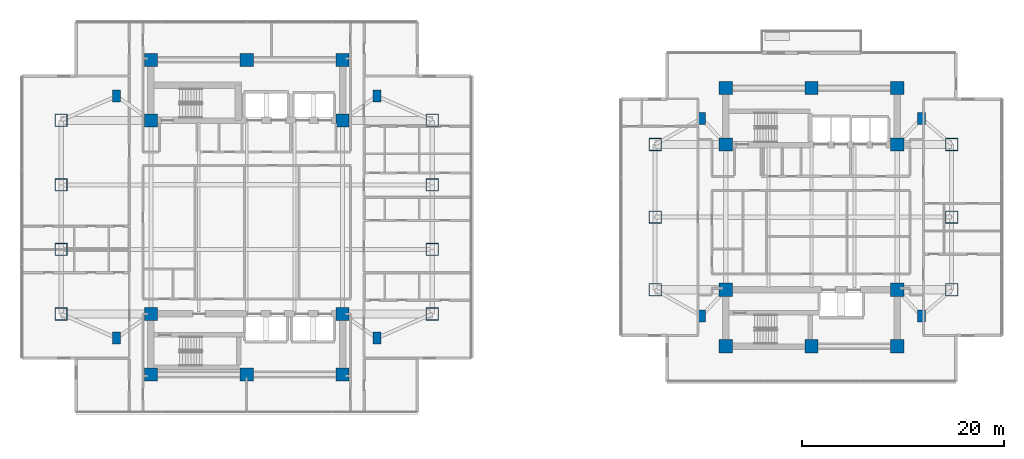
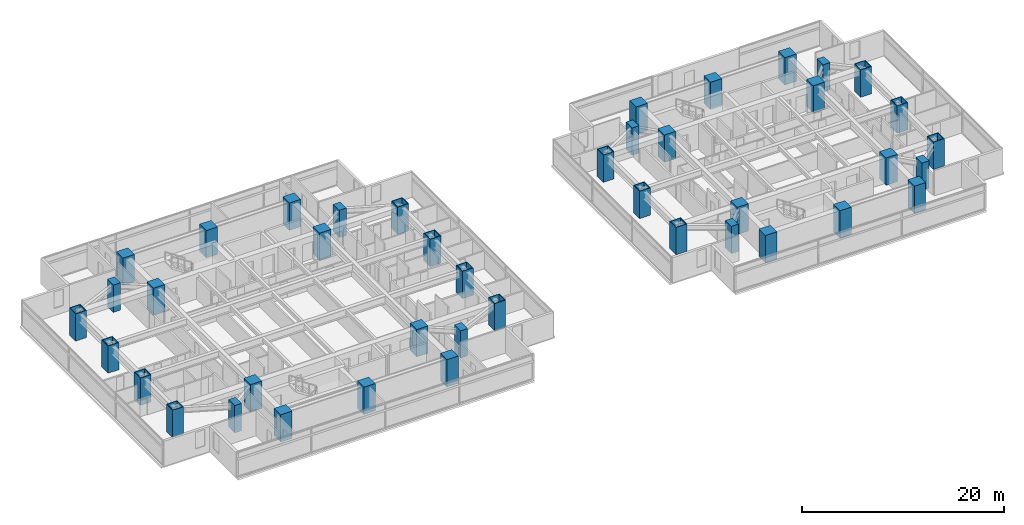
# One storey, part 1 of 24: 42 columns.
"""IFC4 building model written with IfcOpenShell, lengths in metres."""

from ifc_helpers import new_model, si_unit, direction, frame, origin, origin_2d, place, context, subcontext, project, spatial, rectangle, hollow_rectangle, extrude, material, material_profile, profile_set, type_object, element, save


model = new_model("IFC4")

# Units and contexts
model_context = context("Model", 3, precision=1e-05, world=origin(), true_north=direction((0.0, 1.0)))
body_context = subcontext(model_context, "Body", "Model", "MODEL_VIEW")
ifc_project = project(units=[si_unit("LENGTHUNIT", "METRE"), si_unit("AREAUNIT", "SQUARE_METRE"), si_unit("VOLUMEUNIT", "CUBIC_METRE"), si_unit("PLANEANGLEUNIT", "RADIAN"), si_unit("MASSUNIT", "GRAM", prefix="KILO")], contexts=[model_context])

# Site, building, storey
site_placement = place(None, origin())
site = spatial("IfcSite", under=ifc_project, at=site_placement, CompositionType="ELEMENT")
building_placement = place(site_placement, origin())
building = spatial("IfcBuilding", under=site, at=building_placement, Name="Mirazonda Arch Towers", CompositionType="ELEMENT")
storey_placement = place(building_placement, frame((0.0, 0.0, 71.89990234375)))
storey = spatial("IfcBuildingStorey", under=building, at=storey_placement, Name="L20", CompositionType="ELEMENT", Elevation=71.89990234375)

# Columns
ifc_material_1 = material(Name="Concrete C60/75", Category="concrete")
ifc_material_profile_1 = material_profile(ifc_material_1, rectangle(XDim=1.300048828125, YDim=1.300048828125, at=origin_2d()), Name="RC1300x1300")
ifc_profile_set_1 = profile_set([ifc_material_profile_1], Name="Concrete C60/75")
column_type_1 = type_object("IfcColumnType", Name="COL-INT-RC1300x1300", PredefinedType="COLUMN", material=ifc_profile_set_1)
for number, where, z_axis, x_axis, name in (
    (1, (11.0, 12.39990234375, 0.0), (0.0, 0.0, 1.0), (1.0, 0.0, 0.0), "L20 T1 Core Column 01"),
    (2, (20.5, 12.39990234375, 0.0), (0.0, 0.0, 1.0), (1.0, 0.0, 0.0), "L20 T1 Core Column 02"),
    (3, (30.0, 12.39990234375, 0.0), (0.0, 0.0, 1.0), (1.0, 0.0, 0.0), "L20 T1 Core Column 03"),
    (4, (11.0, 18.39990234375, 0.0), (0.0, 0.0, 1.0), (1.0, 0.0, 0.0), "L20 T1 Core Column 04"),
    (5, (30.0, 18.39990234375, 0.0), (0.0, 0.0, 1.0), (1.0, 0.0, 0.0), "L20 T1 Core Column 05"),
    (6, (11.0, 37.60009765625, 0.0), (0.0, 0.0, 1.0), (1.0, 0.0, 0.0), "L20 T1 Core Column 06"),
    (7, (30.0, 37.60009765625, 0.0), (0.0, 0.0, 1.0), (1.0, 0.0, 0.0), "L20 T1 Core Column 07"),
    (8, (11.0, 43.60009765625, 0.0), (0.0, 0.0, 1.0), (1.0, 0.0, 0.0), "L20 T1 Core Column 08"),
    (9, (20.5, 43.60009765625, 0.0), (0.0, 0.0, 1.0), (1.0, 0.0, 0.0), "L20 T1 Core Column 09"),
    (10, (30.0, 43.60009765625, 0.0), (0.0, 0.0, 1.0), (1.0, 0.0, 0.0), "L20 T1 Core Column 10"),
    (11, (68.0, 15.199951171875, 0.0), (0.0, 0.0, 1.0), (1.0, 0.0, 0.0), "L20 T2 Core Column 01"),
    (12, (76.5, 15.199951171875, 0.0), (0.0, 0.0, 1.0), (1.0, 0.0, 0.0), "L20 T2 Core Column 02"),
    (13, (85.0, 15.199951171875, 0.0), (0.0, 0.0, 1.0), (1.0, 0.0, 0.0), "L20 T2 Core Column 03"),
    (14, (68.0, 20.800048828125, 0.0), (0.0, 0.0, 1.0), (1.0, 0.0, 0.0), "L20 T2 Core Column 04"),
    (15, (85.0, 20.800048828125, 0.0), (0.0, 0.0, 1.0), (1.0, 0.0, 0.0), "L20 T2 Core Column 05"),
    (16, (68.0, 35.199951171875, 0.0), (0.0, 0.0, 1.0), (1.0, 0.0, 0.0), "L20 T2 Core Column 06"),
    (17, (85.0, 35.199951171875, 0.0), (0.0, 0.0, 1.0), (1.0, 0.0, 0.0), "L20 T2 Core Column 07"),
    (18, (68.0, 40.800048828125, 0.0), (0.0, 0.0, 1.0), (1.0, 0.0, 0.0), "L20 T2 Core Column 08"),
    (19, (76.5, 40.800048828125, 0.0), (0.0, 0.0, 1.0), (1.0, 0.0, 0.0), "L20 T2 Core Column 09"),
    (20, (85.0, 40.800048828125, 0.0), (0.0, 0.0, 1.0), (1.0, 0.0, 0.0), "L20 T2 Core Column 10"),
):
    element("IfcColumn", number, at=place(storey_placement, frame(where, z_axis=z_axis, x_axis=x_axis)), inside=storey, type_object=column_type_1, Name=name, PredefinedType="COLUMN", context=body_context, shape_type="SweptSolid", body=[
        extrude(rectangle(XDim=1.300048828125, YDim=1.300048828125, at=origin_2d()), origin(), (0.0, 0.0, 1.0), 3.300048828125),
    ])
ifc_material_2 = material(Name="Steel ASTM A572 Grade 50", Category="steel")
ifc_material_profile_2 = material_profile(ifc_material_2, hollow_rectangle(XDim=1.25, YDim=1.25, WallThickness=0.070068359375, at=origin_2d()), Name="BOX1250x1250x70")
ifc_profile_set_2 = profile_set([ifc_material_profile_2], Name="Steel ASTM A572 Grade 50")
column_type_2 = type_object("IfcColumnType", Name="MCOL-EXT-BOX1250x1250x70", PredefinedType="COLUMN", material=ifc_profile_set_2)
for number, where, z_axis, x_axis, name in (
    (21, (2.10009765625, 18.39990234375, 0.0), (0.0, 0.0, 1.0), (1.0, 0.0, 0.0), "L20 T1 Composite Mega-Column 01"),
    (22, (2.10009765625, 24.800048828125, 0.0), (0.0, 0.0, 1.0), (1.0, 0.0, 0.0), "L20 T1 Composite Mega-Column 02"),
    (23, (2.10009765625, 31.199951171875, 0.0), (0.0, 0.0, 1.0), (1.0, 0.0, 0.0), "L20 T1 Composite Mega-Column 03"),
    (24, (2.10009765625, 37.60009765625, 0.0), (0.0, 0.0, 1.0), (1.0, 0.0, 0.0), "L20 T1 Composite Mega-Column 04"),
    (25, (38.89990234375, 18.39990234375, 0.0), (0.0, 0.0, 1.0), (1.0, 0.0, 0.0), "L20 T1 Composite Mega-Column 05"),
    (26, (38.89990234375, 24.800048828125, 0.0), (0.0, 0.0, 1.0), (1.0, 0.0, 0.0), "L20 T1 Composite Mega-Column 06"),
    (27, (38.89990234375, 31.199951171875, 0.0), (0.0, 0.0, 1.0), (1.0, 0.0, 0.0), "L20 T1 Composite Mega-Column 07"),
    (28, (38.89990234375, 37.60009765625, 0.0), (0.0, 0.0, 1.0), (1.0, 0.0, 0.0), "L20 T1 Composite Mega-Column 08"),
    (29, (61.0, 20.800048828125, 0.0), (0.0, 0.0, 1.0), (1.0, 0.0, 0.0), "L20 T2 Composite Mega-Column 01"),
    (30, (61.0, 28.0, 0.0), (0.0, 0.0, 1.0), (1.0, 0.0, 0.0), "L20 T2 Composite Mega-Column 02"),
    (31, (61.0, 35.199951171875, 0.0), (0.0, 0.0, 1.0), (1.0, 0.0, 0.0), "L20 T2 Composite Mega-Column 03"),
    (32, (90.39990234375, 20.800048828125, 0.0), (0.0, 0.0, 1.0), (1.0, 0.0, 0.0), "L20 T2 Composite Mega-Column 04"),
    (33, (90.39990234375, 28.0, 0.0), (0.0, 0.0, 1.0), (1.0, 0.0, 0.0), "L20 T2 Composite Mega-Column 05"),
    (34, (90.39990234375, 35.199951171875, 0.0), (0.0, 0.0, 1.0), (1.0, 0.0, 0.0), "L20 T2 Composite Mega-Column 06"),
):
    element("IfcColumn", number, at=place(storey_placement, frame(where, z_axis=z_axis, x_axis=x_axis)), inside=storey, type_object=column_type_2, Name=name, PredefinedType="COLUMN", context=body_context, shape_type="SweptSolid", body=[
        extrude(hollow_rectangle(XDim=1.25, YDim=1.25, WallThickness=0.070068359375, at=origin_2d()), origin(), (0.0, 0.0, 1.0), 3.300048828125),
    ])
ifc_material_profile_3 = material_profile(ifc_material_1, rectangle(XDim=0.800048828125, YDim=1.199951171875, at=origin_2d()), Name="RC1200x800")
ifc_profile_set_3 = profile_set([ifc_material_profile_3], Name="Concrete C60/75")
column_type_3 = type_object("IfcColumnType", Name="PIL-EXT-RC1200x800", PredefinedType="PILASTER", material=ifc_profile_set_3)
for number, where, z_axis, x_axis, name in (
    (35, (7.60009765625, 16.0, 0.0), (0.0, 0.0, 1.0), (1.0, 0.0, 0.0), "L20 T1 Corner Pilaster 01"),
    (36, (33.39990234375, 16.0, 0.0), (0.0, 0.0, 1.0), (1.0, 0.0, 0.0), "L20 T1 Corner Pilaster 02"),
    (37, (7.60009765625, 40.0, 0.0), (0.0, 0.0, 1.0), (1.0, 0.0, 0.0), "L20 T1 Corner Pilaster 03"),
    (38, (33.39990234375, 40.0, 0.0), (0.0, 0.0, 1.0), (1.0, 0.0, 0.0), "L20 T1 Corner Pilaster 04"),
    (39, (65.60009765625, 18.199951171875, 0.0), (0.0, 0.0, 1.0), (1.0, 0.0, 0.0), "L20 T2 Corner Pilaster 01"),
    (40, (87.39990234375, 18.199951171875, 0.0), (0.0, 0.0, 1.0), (1.0, 0.0, 0.0), "L20 T2 Corner Pilaster 02"),
    (41, (65.60009765625, 37.800048828125, 0.0), (0.0, 0.0, 1.0), (1.0, 0.0, 0.0), "L20 T2 Corner Pilaster 03"),
    (42, (87.39990234375, 37.800048828125, 0.0), (0.0, 0.0, 1.0), (1.0, 0.0, 0.0), "L20 T2 Corner Pilaster 04"),
):
    element("IfcColumn", number, at=place(storey_placement, frame(where, z_axis=z_axis, x_axis=x_axis)), inside=storey, type_object=column_type_3, Name=name, PredefinedType="PILASTER", context=body_context, shape_type="SweptSolid", body=[
        extrude(rectangle(XDim=0.800048828125, YDim=1.199951171875, at=origin_2d()), origin(), (0.0, 0.0, 1.0), 3.300048828125),
    ])

save(model, "model.ifc")
